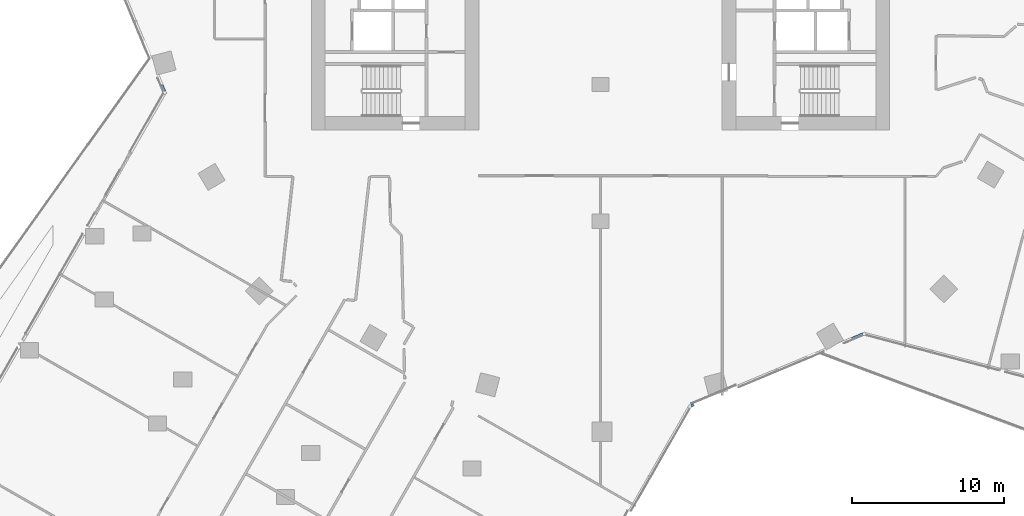
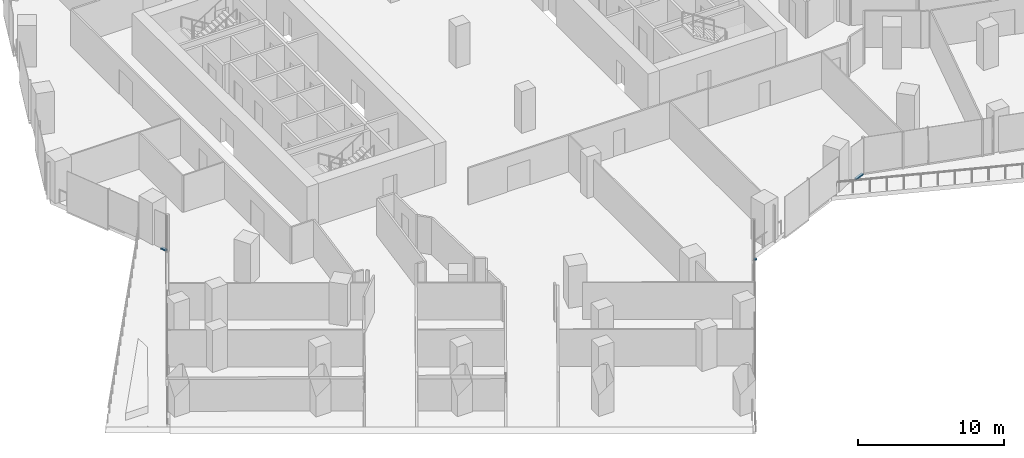
# One storey, part 14 of 34: 3 members, 2 elements without a shape of their own.
"""IFC4 building model written with IfcOpenShell, lengths in metres."""

from ifc_helpers import new_model, si_unit, direction, frame, origin, origin_2d, place, context, subcontext, project, spatial, rectangle, extrude, material, material_profile, profile_set, type_object, element, aggregate, save


model = new_model("IFC4")

# Units and contexts
model_context = context("Model", 3, precision=1e-05, world=origin(), true_north=direction((0.0, 1.0)))
body_context = subcontext(model_context, "Body", "Model", "MODEL_VIEW")
ifc_project = project(units=[si_unit("LENGTHUNIT", "METRE"), si_unit("AREAUNIT", "SQUARE_METRE"), si_unit("VOLUMEUNIT", "CUBIC_METRE"), si_unit("PLANEANGLEUNIT", "RADIAN"), si_unit("MASSUNIT", "GRAM", prefix="KILO")], contexts=[model_context])

# Site, building, storey
site_placement = place(None, origin())
site = spatial("IfcSite", under=ifc_project, at=site_placement, CompositionType="ELEMENT")
building_placement = place(site_placement, origin())
building = spatial("IfcBuilding", under=site, at=building_placement, Name="Orlundy Tower", CompositionType="ELEMENT")
storey_placement = place(building_placement, frame((0.0, 0.0, 102.199951171875)))
storey = spatial("IfcBuildingStorey", under=building, at=storey_placement, Name="L25", CompositionType="ELEMENT", Elevation=102.199951171875)

# Curtain wall, members
ifc_material_1 = material(Name="Aluminium bronze anodised", Category="aluminium")
curtain_wall_type = type_object("IfcCurtainWallType", Name="CW1 wall", PredefinedType="NOTDEFINED", material=ifc_material_1)
curtain_wall_1_placement = place(storey_placement, origin())
curtain_wall_1 = element("IfcCurtainWall", 1, at=curtain_wall_1_placement, inside=storey, type_object=curtain_wall_type, Name="CW1 run 01", PredefinedType="NOTDEFINED")
ifc_material_2 = material(Name="Aluminium bronze anodised", Category="aluminium")
ifc_material_profile = material_profile(ifc_material_2, rectangle(XDim=0.179931640625, YDim=0.1201171875, at=origin_2d()), Name="CW1 transom 180x120")
ifc_profile_set = profile_set([ifc_material_profile], Name="Aluminium bronze anodised")
member_type = type_object("IfcMemberType", Name="CW1 transom 180x120", PredefinedType="USERDEFINED", material=ifc_profile_set)
member_1_placement = place(storey_placement, frame((17.245361328125, -25.406494140625, 0.06005859375), z_axis=(-0.922742287882, -0.385417527047, 0.0), x_axis=(0.385417527047, -0.922742287882, 0.0)))
member_1 = element("IfcMember", 2, at=member_1_placement, type_object=member_type, Name="CW1 transom", ObjectType="TRANSOM", PredefinedType="USERDEFINED", context=body_context, shape_type="SweptSolid", body=[
    extrude(rectangle(XDim=0.179931640625, YDim=0.1201171875, at=origin_2d()), origin(), (0.0, 0.0, 1.0), 0.77783203125),
])
member_2_placement = place(storey_placement, frame((6.13232421875, -30.047607421875, -0.33984375), z_axis=(-0.922712520554, -0.385488786365, 0.0), x_axis=(0.385488786365, -0.922712520554, 0.0)))
member_2 = element("IfcMember", 3, at=member_2_placement, type_object=member_type, Name="CW1 transom", ObjectType="TRANSOM", PredefinedType="USERDEFINED", context=body_context, shape_type="SweptSolid", body=[
    extrude(rectangle(XDim=0.179931640625, YDim=0.1201171875, at=origin_2d()), origin(), (0.0, 0.0, 1.0), 0.1787109375),
])
aggregate(curtain_wall_1, [member_1, member_2])

# Curtain wall, member
curtain_wall_2_placement = place(storey_placement, origin())
curtain_wall_2 = element("IfcCurtainWall", 4, at=curtain_wall_2_placement, inside=storey, type_object=curtain_wall_type, Name="CW1 run 013", PredefinedType="NOTDEFINED")
member_3_placement = place(storey_placement, frame((-28.661865234375, -9.45166015625, 0.06005859375), z_axis=(-0.385537961308, 0.922691974816, 0.0), x_axis=(-0.922691974816, -0.385537961308, 0.0)))
member_3 = element("IfcMember", 5, at=member_3_placement, type_object=member_type, Name="CW1 transom", ObjectType="TRANSOM", PredefinedType="USERDEFINED", context=body_context, shape_type="SweptSolid", body=[
    extrude(rectangle(XDim=0.179931640625, YDim=0.1201171875, at=origin_2d()), origin(), (0.0, 0.0, 1.0), 0.450927734375),
])
aggregate(curtain_wall_2, [member_3])

save(model, "model.ifc")
